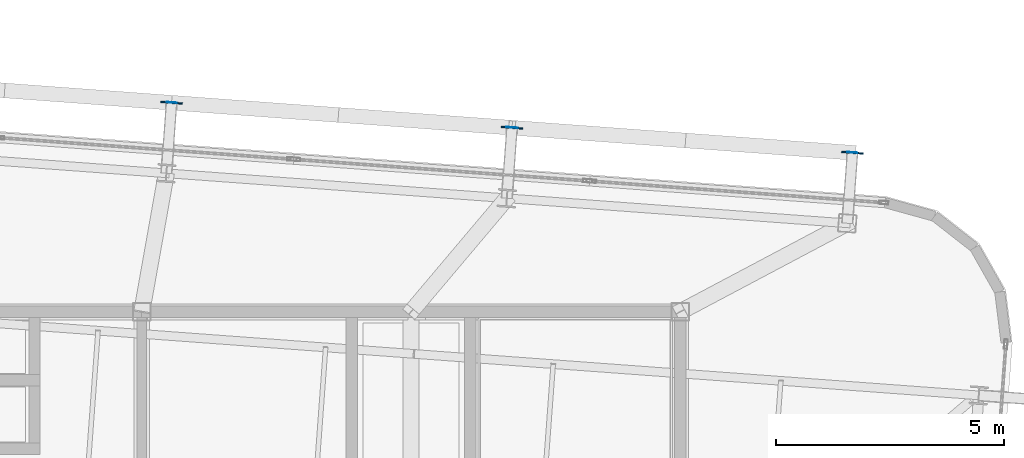
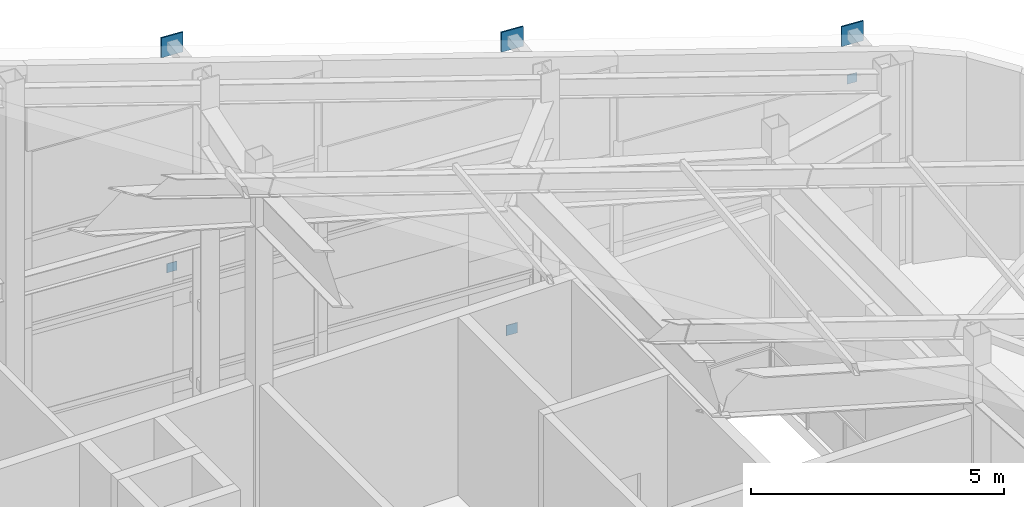
# One storey, part 52 of 56: 6 plates.
"""IFC4 building model written with IfcOpenShell, lengths in metres."""

from ifc_helpers import new_model, si_unit, direction, frame, origin, origin_2d, place, context, subcontext, project, spatial, rectangle, extrude, source, transform, mapped, material, layer, layer_set, type_object, element, save


model = new_model("IFC4")

# Units and contexts
model_context = context("Model", 3, precision=1e-05, world=origin(), true_north=direction((0.0, 1.0)))
body_context = subcontext(model_context, "Body", "Model", "MODEL_VIEW")
ifc_project = project(units=[si_unit("LENGTHUNIT", "METRE"), si_unit("AREAUNIT", "SQUARE_METRE"), si_unit("VOLUMEUNIT", "CUBIC_METRE"), si_unit("PLANEANGLEUNIT", "RADIAN"), si_unit("MASSUNIT", "GRAM", prefix="KILO")], contexts=[model_context])

# Site, building, storey
site_placement = place(None, origin())
site = spatial("IfcSite", under=ifc_project, at=site_placement, CompositionType="ELEMENT")
building_placement = place(site_placement, origin())
building = spatial("IfcBuilding", under=site, at=building_placement, Name="Taldren Reach Tower", CompositionType="ELEMENT")
storey_placement = place(building_placement, frame((0.0, 0.0, 253.050048828125)))
storey = spatial("IfcBuildingStorey", under=building, at=storey_placement, Name="L77", CompositionType="ELEMENT", Elevation=253.050048828125)

# Plates
ifc_material_1 = material(Name="Steel Gr 350 (C350L0)", Category="steel")
ifc_layer_1 = layer(ifc_material_1, 0.011962890625)
ifc_layer_set_1 = layer_set([ifc_layer_1], Name="Steel Gr 350 (C350L0)")
plate_type_1 = type_object("IfcPlateType", Name="PL-CAP-250", PredefinedType="SHEET", material=ifc_layer_set_1)
shared_shape_1 = source(origin(), body_context, "Body", "SweptSolid", [
    extrude(rectangle(XDim=0.25, YDim=0.011962890625, at=origin_2d()), origin(), (0.0, 0.0, 1.0), 0.25),
])
plate_placement = place(storey_placement, frame((47.3134765625, 36.039306640625, 0.094970703125), z_axis=(0.0, 0.0, 1.0), x_axis=(0.997314477224, -0.073238197128, 0.0)))
element("IfcPlate", 1, at=plate_placement, inside=storey, type_object=plate_type_1, Name="Tie strut end cap plate B5-N5 L77", PredefinedType="SHEET", context=body_context, shape_type="MappedRepresentation", body=[
    mapped(shared_shape_1, transform((0.0, 0.0, 0.0), scale=1.0)),
])
ifc_material_2 = material(Name="Steel Gr 450 (C450L0)", Category="steel")
ifc_layer_2 = layer(ifc_material_2, 0.031982421875)
ifc_layer_set_2 = layer_set([ifc_layer_2], Name="Steel Gr 450 (C450L0)")
plate_type_2 = type_object("IfcPlateType", Name="PL-GUSSET-32", PredefinedType="SHEET", material=ifc_layer_set_2)
shared_shape_2 = source(origin(), body_context, "Body", "SweptSolid", [
    extrude(rectangle(XDim=0.47998046875, YDim=0.031982421875, at=origin_2d()), origin(), (0.0, 0.0, 1.0), 0.47998046875),
])
for number, where, z_axis, x_axis, name in (
    (2, (39.85302734375, 36.581298828125, 9.137939453125), (0.0, 0.0, 1.0), (0.997314477224, -0.073238197128, 0.0), "Exoskeleton star-node gusset plate B5-N4 L77"),
    (3, (47.31298828125, 36.033447265625, 6.99365234375), (0.0, 0.0, 1.0), (0.997314477224, -0.073238197128, 0.0), "Exoskeleton star-node gusset plate B5-N5 L77"),
    (4, (54.77294921875, 35.485595703125, 4.849365234375), (0.0, 0.0, 1.0), (0.997314477224, -0.073238197128, 0.0), "Exoskeleton star-node gusset plate B5-N6 L77"),
):
    element("IfcPlate", number, at=place(storey_placement, frame(where, z_axis=z_axis, x_axis=x_axis)), inside=storey, type_object=plate_type_2, Name=name, PredefinedType="SHEET", context=body_context, shape_type="MappedRepresentation", body=[
        mapped(shared_shape_2, transform((0.0, 0.0, 0.0), scale=1.0)),
    ])
ifc_layer_3 = layer(ifc_material_2, 0.011962890625)
ifc_layer_set_3 = layer_set([ifc_layer_3], Name="Steel Gr 450 (C450L0)")
plate_type_3 = type_object("IfcPlateType", Name="PL-CAP-220", PredefinedType="SHEET", material=ifc_layer_set_3)
shared_shape_3 = source(origin(), body_context, "Body", "SweptSolid", [
    extrude(rectangle(XDim=0.219970703125, YDim=0.011962890625, at=origin_2d()), origin(), (0.0, 0.0, 1.0), 0.219970703125),
])
for number, where, z_axis, x_axis, name in (
    (5, (39.853515625, 36.587158203125, 3.89013671875), (0.0, 0.0, 1.0), (0.997314477224, -0.073238197128, 0.0), "Tie strut end cap plate B5-N4 L77"),
    (6, (54.773193359375, 35.49169921875, 3.89013671875), (0.0, 0.0, 1.0), (0.997314477224, -0.073238197128, 0.0), "Tie strut end cap plate B5-N6 L77"),
):
    element("IfcPlate", number, at=place(storey_placement, frame(where, z_axis=z_axis, x_axis=x_axis)), inside=storey, type_object=plate_type_3, Name=name, PredefinedType="SHEET", context=body_context, shape_type="MappedRepresentation", body=[
        mapped(shared_shape_3, transform((0.0, 0.0, 0.0), scale=1.0)),
    ])

save(model, "model.ifc")
